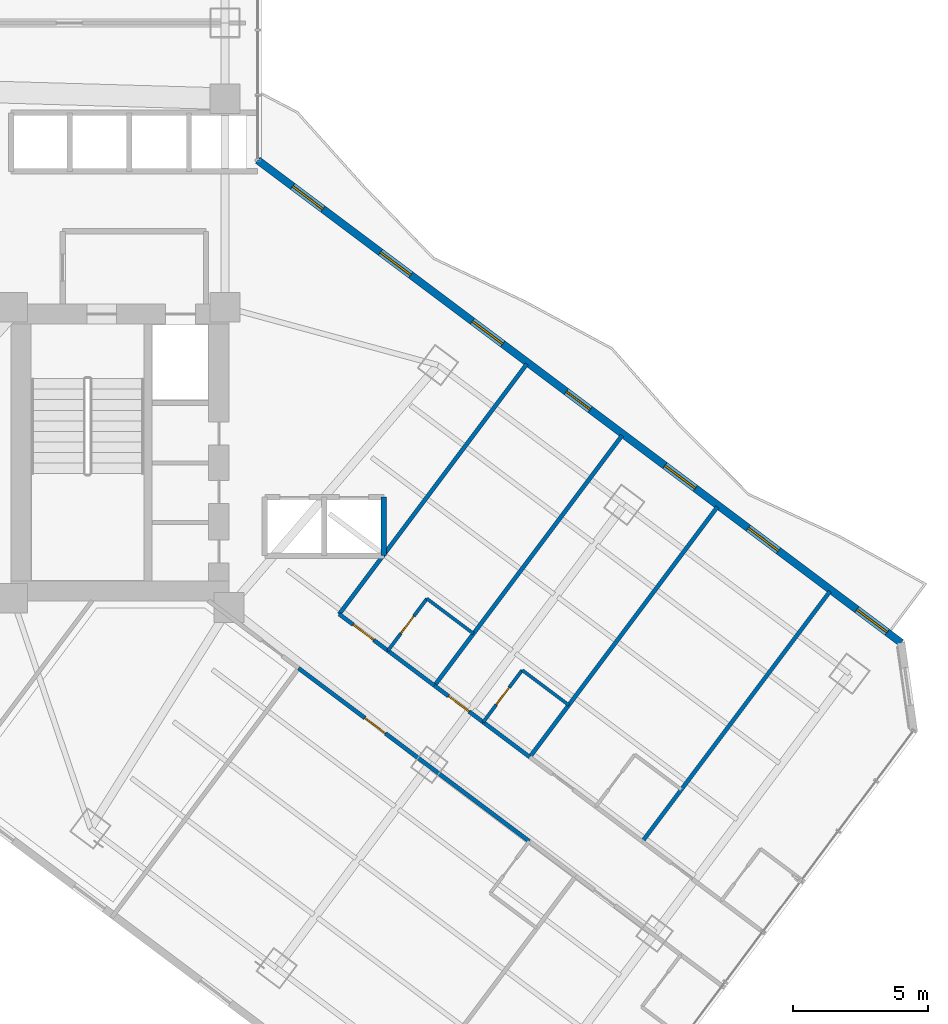
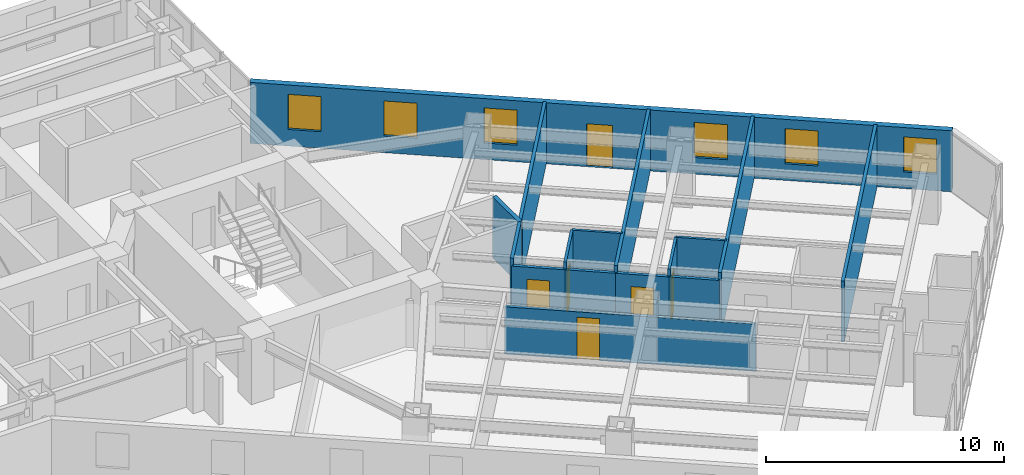
# One storey, part 25 of 38: 15 walls, 6 doors, 6 windows, 12 openings.
"""IFC4 building model written with IfcOpenShell, lengths in metres."""

from ifc_helpers import new_model, si_unit, direction, frame, frame_2d, origin, place, context, subcontext, project, spatial, rectangle, extrude, material, layer, layer_set, type_object, element, fill, save


model = new_model("IFC4")

# Units and contexts
model_context = context("Model", 3, precision=1e-05, world=origin(), true_north=direction((0.0, 1.0)))
body_context = subcontext(model_context, "Body", "Model", "MODEL_VIEW")
ifc_project = project(units=[si_unit("LENGTHUNIT", "METRE"), si_unit("AREAUNIT", "SQUARE_METRE"), si_unit("VOLUMEUNIT", "CUBIC_METRE"), si_unit("PLANEANGLEUNIT", "RADIAN"), si_unit("MASSUNIT", "GRAM", prefix="KILO")], contexts=[model_context])

# Site, building, storey
site_placement = place(None, origin())
site = spatial("IfcSite", under=ifc_project, at=site_placement, CompositionType="ELEMENT")
building_placement = place(site_placement, origin())
building = spatial("IfcBuilding", under=site, at=building_placement, Name="Hatsunagi Terrace Concourse", CompositionType="ELEMENT")
storey_placement = place(building_placement, frame((0.0, 0.0, 60.050048828125)))
storey = spatial("IfcBuildingStorey", under=building, at=storey_placement, Name="L15", CompositionType="ELEMENT", Elevation=60.050048828125)

# Wall, opening, door
ifc_material_1 = material(Name="Acoustic mineral board", Category="gypsum")
ifc_layer_1 = layer(ifc_material_1, 0.1201171875)
ifc_layer_set_1 = layer_set([ifc_layer_1], Name="PartitionWall_EI30_120")
wall_type_1 = type_object("IfcWallType", Name="PartitionWall_EI30_120", PredefinedType="PARTITIONING", material=ifc_layer_set_1)
wall_1_placement = place(storey_placement, frame((49.669921875, 22.610107421875, 0.0), z_axis=(0.0, 0.0, 1.0), x_axis=(0.600065100855, 0.79995117022, 0.0)))
wall_1 = element("IfcWall", 1, at=wall_1_placement, inside=storey, type_object=wall_type_1, Name="Interior Partition IW-L15-085", PredefinedType="PARTITIONING", context=body_context, shape_type="SweptSolid", body=[
    extrude(rectangle(XDim=2.400146484375, YDim=0.1201171875, at=frame_2d((1.2001953125, 0.0))), origin(), (0.0, 0.0, 1.0), 3.1298828125),
])
opening_1_placement = place(wall_1_placement, frame((0.800048828125, 0.0, 0.0)))
opening_1 = element("IfcOpeningElement", 2, at=opening_1_placement, cuts=wall_1, Name="Opening DR-080", PredefinedType="OPENING", context=body_context, shape_type="SweptSolid", body=[
    extrude(rectangle(XDim=0.800048828125, YDim=2.06005859375, at=frame_2d((0.39990234375, 1.030029296875))), frame((0.0, 0.070068359375, 0.0), z_axis=(0.0, -1.0, 0.0), x_axis=(1.0, 0.0, 0.0)), (0.0, 0.0, 1.0), 0.14013671875),
])
ifc_material_2 = material(Name="Hardwood timber", Category="wood")
door_type_1 = type_object("IfcDoorType", Name="BathroomDoor_800", OperationType="NOTDEFINED", PredefinedType="DOOR", material=ifc_material_2)
door_1_placement = place(opening_1_placement, origin())
door_1 = element("IfcDoor", 3, at=door_1_placement, inside=storey, type_object=door_type_1, Name="En-Suite Bathroom L15-SENE1 Door", OperationType="SINGLE_SWING_LEFT", OverallHeight=2.06005859375, OverallWidth=0.800048828125, PredefinedType="DOOR", context=body_context, shape_type="SweptSolid", body=[
    extrude(rectangle(XDim=0.800048828125, YDim=2.06005859375, at=frame_2d((0.39990234375, 1.030029296875))), frame((0.0, 0.02490234375, 0.0), z_axis=(0.0, -1.0, 0.0), x_axis=(1.0, 0.0, 0.0)), (0.0, 0.0, 1.0), 0.050048828125),
])
fill(opening_1, door_1)

# Wall
wall_2_placement = place(storey_placement, frame((51.110107421875, 24.530029296875, 0.0), z_axis=(0.0, 0.0, 1.0), x_axis=(0.79998637334, -0.60001816845, 0.0)))
element("IfcWall", 4, at=wall_2_placement, inside=storey, type_object=wall_type_1, Name="Interior Partition IW-L15-086", PredefinedType="PARTITIONING", context=body_context, shape_type="SweptSolid", body=[
    extrude(rectangle(XDim=2.14990234375, YDim=0.1201171875, at=frame_2d((1.074951171875, 0.0))), origin(), (0.0, 0.0, 1.0), 3.1298828125),
])

# Wall, opening, door
wall_3_placement = place(storey_placement, frame((53.18994140625, 19.969970703125, 0.0), z_axis=(0.0, 0.0, 1.0), x_axis=(0.6, 0.8, 0.0)))
wall_3 = element("IfcWall", 5, at=wall_3_placement, inside=storey, type_object=wall_type_1, Name="Interior Partition IW-L15-091", PredefinedType="PARTITIONING", context=body_context, shape_type="SweptSolid", body=[
    extrude(rectangle(XDim=2.39990234375, YDim=0.1201171875, at=frame_2d((1.199951171875, 0.0))), origin(), (0.0, 0.0, 1.0), 3.1298828125),
])
opening_2_placement = place(wall_3_placement, frame((0.800048828125, 0.0, 0.0)))
opening_2 = element("IfcOpeningElement", 6, at=opening_2_placement, cuts=wall_3, Name="Opening DR-080", PredefinedType="OPENING", context=body_context, shape_type="SweptSolid", body=[
    extrude(rectangle(XDim=0.800048828125, YDim=2.06005859375, at=frame_2d((0.39990234375, 1.030029296875))), frame((0.0, 0.070068359375, 0.0), z_axis=(0.0, -1.0, 0.0), x_axis=(1.0, 0.0, 0.0)), (0.0, 0.0, 1.0), 0.14013671875),
])
door_2_placement = place(opening_2_placement, origin())
door_2 = element("IfcDoor", 7, at=door_2_placement, inside=storey, type_object=door_type_1, Name="En-Suite Bathroom L15-SENE2 Door", OperationType="SINGLE_SWING_RIGHT", OverallHeight=2.06005859375, OverallWidth=0.800048828125, PredefinedType="DOOR", context=body_context, shape_type="SweptSolid", body=[
    extrude(rectangle(XDim=0.800048828125, YDim=2.06005859375, at=frame_2d((0.39990234375, 1.030029296875))), frame((0.0, 0.02490234375, 0.0), z_axis=(0.0, -1.0, 0.0), x_axis=(1.0, 0.0, 0.0)), (0.0, 0.0, 1.0), 0.050048828125),
])
fill(opening_2, door_2)

# Wall
wall_4_placement = place(storey_placement, frame((54.6298828125, 21.889892578125, 0.0), z_axis=(0.0, 0.0, 1.0), x_axis=(0.800081749437, -0.599890985279, 0.0)))
element("IfcWall", 8, at=wall_4_placement, inside=storey, type_object=wall_type_1, Name="Interior Partition IW-L15-092", PredefinedType="PARTITIONING", context=body_context, shape_type="SweptSolid", body=[
    extrude(rectangle(XDim=2.150146484375, YDim=0.1201171875, at=frame_2d((1.0751953125, 0.0))), origin(), (0.0, 0.0, 1.0), 3.1298828125),
])

# Wall, opening, door
ifc_material_3 = material(Name="Acoustic mineral board", Category="gypsum")
ifc_layer_2 = layer(ifc_material_3, 0.14990234375)
ifc_layer_set_2 = layer_set([ifc_layer_2], Name="PartitionWall_EI60_150")
wall_type_2 = type_object("IfcWallType", Name="PartitionWall_EI60_150", PredefinedType="PARTITIONING", material=ifc_layer_set_2)
wall_5_placement = place(storey_placement, frame((47.8701171875, 23.9599609375, 0.0), z_axis=(0.0, 0.0, 1.0), x_axis=(0.8, -0.6, 0.0)))
wall_5 = element("IfcWall", 9, at=wall_5_placement, inside=storey, type_object=wall_type_2, Name="Interior Partition IW-L15-083", PredefinedType="PARTITIONING", context=body_context, shape_type="SweptSolid", body=[
    extrude(rectangle(XDim=2.249755859375, YDim=0.14990234375, at=frame_2d((1.125, 0.0))), origin(), (0.0, 0.0, 1.0), 2.77490234375),
])
opening_3_placement = place(wall_5_placement, frame((0.64990234375, 0.0, 0.0)))
opening_3 = element("IfcOpeningElement", 10, at=opening_3_placement, cuts=wall_5, Name="Opening DR-095", PredefinedType="OPENING", context=body_context, shape_type="SweptSolid", body=[
    extrude(rectangle(XDim=0.949951171875, YDim=2.14990234375, at=frame_2d((0.47509765625, 1.074951171875))), frame((0.0, 0.0849609375, 0.0), z_axis=(0.0, -1.0, 0.0), x_axis=(1.0, 0.0, 0.0)), (0.0, 0.0, 1.0), 0.169921875),
])
ifc_material_4 = material(Name="Hardwood timber", Category="wood")
door_type_2 = type_object("IfcDoorType", Name="InteriorSuiteDoor_EI30_950", OperationType="NOTDEFINED", PredefinedType="DOOR", material=ifc_material_4)
door_3_placement = place(opening_3_placement, origin())
door_3 = element("IfcDoor", 11, at=door_3_placement, inside=storey, type_object=door_type_2, Name="Hotel Guest Room L15-SENE1 Door", OperationType="SINGLE_SWING_LEFT", OverallHeight=2.14990234375, OverallWidth=0.949951171875, PredefinedType="DOOR", context=body_context, shape_type="SweptSolid", body=[
    extrude(rectangle(XDim=0.949951171875, YDim=2.14990234375, at=frame_2d((0.47509765625, 1.074951171875))), frame((0.0, 0.02490234375, 0.0), z_axis=(0.0, -1.0, 0.0), x_axis=(1.0, 0.0, 0.0)), (0.0, 0.0, 1.0), 0.050048828125),
])
fill(opening_3, door_3)

# Walls
wall_6_placement = place(storey_placement, frame((49.669921875, 22.610107421875, 0.0), z_axis=(0.0, 0.0, 1.0), x_axis=(0.79998637334, -0.60001816845, 0.0)))
element("IfcWall", 12, at=wall_6_placement, inside=storey, type_object=wall_type_2, Name="Interior Partition IW-L15-084", PredefinedType="PARTITIONING", context=body_context, shape_type="SweptSolid", body=[
    extrude(rectangle(XDim=2.14990234375, YDim=0.14990234375, at=frame_2d((1.074951171875, 0.0))), origin(), (0.0, 0.0, 1.0), 2.77490234375),
])
for number, where, z_axis, x_axis, name in (
    (13, (47.8701171875, 23.9599609375, 0.0), (0.0, 0.0, 1.0), (0.599996617946, 0.80000253653, 0.0), "Interior Partition IW-L15-087"),
    (14, (51.389892578125, 21.320068359375, 0.0), (0.0, 0.0, 1.0), (0.60001014597, 0.799992390422, 0.0), "Interior Partition IW-L15-088"),
):
    element("IfcWall", number, at=place(storey_placement, frame(where, z_axis=z_axis, x_axis=x_axis)), inside=storey, type_object=wall_type_2, Name=name, PredefinedType="PARTITIONING", context=body_context, shape_type="SweptSolid", body=[
        extrude(rectangle(XDim=11.550048828125, YDim=0.14990234375, at=frame_2d((5.77490234375, 0.0))), origin(), (0.0, 0.0, 1.0), 3.1298828125),
    ])

# Wall, opening, door
wall_7_placement = place(storey_placement, frame((51.389892578125, 21.320068359375, 0.0), z_axis=(0.0, 0.0, 1.0), x_axis=(0.799986979543, -0.600017360216, 0.0)))
wall_7 = element("IfcWall", 15, at=wall_7_placement, inside=storey, type_object=wall_type_2, Name="Interior Partition IW-L15-089", PredefinedType="PARTITIONING", context=body_context, shape_type="SweptSolid", body=[
    extrude(rectangle(XDim=2.25, YDim=0.14990234375, at=frame_2d((1.125, 0.0))), origin(), (0.0, 0.0, 1.0), 2.77490234375),
])
opening_4_placement = place(wall_7_placement, frame((0.64990234375, 0.0, 0.0)))
opening_4 = element("IfcOpeningElement", 16, at=opening_4_placement, cuts=wall_7, Name="Opening DR-095", PredefinedType="OPENING", context=body_context, shape_type="SweptSolid", body=[
    extrude(rectangle(XDim=0.949951171875, YDim=2.14990234375, at=frame_2d((0.47509765625, 1.074951171875))), frame((0.0, 0.0849609375, 0.0), z_axis=(0.0, -1.0, 0.0), x_axis=(1.0, 0.0, 0.0)), (0.0, 0.0, 1.0), 0.169921875),
])
door_4_placement = place(opening_4_placement, origin())
door_4 = element("IfcDoor", 17, at=door_4_placement, inside=storey, type_object=door_type_2, Name="Hotel Guest Room L15-SENE2 Door", OperationType="SINGLE_SWING_LEFT", OverallHeight=2.14990234375, OverallWidth=0.949951171875, PredefinedType="DOOR", context=body_context, shape_type="SweptSolid", body=[
    extrude(rectangle(XDim=0.949951171875, YDim=2.14990234375, at=frame_2d((0.47509765625, 1.074951171875))), frame((0.0, 0.02490234375, 0.0), z_axis=(0.0, -1.0, 0.0), x_axis=(1.0, 0.0, 0.0)), (0.0, 0.0, 1.0), 0.050048828125),
])
fill(opening_4, door_4)

# Walls
wall_8_placement = place(storey_placement, frame((53.18994140625, 19.969970703125, 0.0), z_axis=(0.0, 0.0, 1.0), x_axis=(0.79998637334, -0.60001816845, 0.0)))
element("IfcWall", 18, at=wall_8_placement, inside=storey, type_object=wall_type_2, Name="Interior Partition IW-L15-090", PredefinedType="PARTITIONING", context=body_context, shape_type="SweptSolid", body=[
    extrude(rectangle(XDim=2.14990234375, YDim=0.14990234375, at=frame_2d((1.074951171875, 0.0))), origin(), (0.0, 0.0, 1.0), 2.77490234375),
])
for number, where, z_axis, x_axis, name in (
    (19, (54.909912109375, 18.679931640625, 0.0), (0.0, 0.0, 1.0), (0.60001014597, 0.799992390422, 0.0), "Interior Partition IW-L15-093"),
    (20, (59.070068359375, 15.56005859375, 0.0), (0.0, 0.0, 1.0), (0.599996617946, 0.80000253653, 0.0), "Interior Partition IW-L15-098"),
):
    element("IfcWall", number, at=place(storey_placement, frame(where, z_axis=z_axis, x_axis=x_axis)), inside=storey, type_object=wall_type_2, Name=name, PredefinedType="PARTITIONING", context=body_context, shape_type="SweptSolid", body=[
        extrude(rectangle(XDim=11.550048828125, YDim=0.14990234375, at=frame_2d((5.77490234375, 0.0))), origin(), (0.0, 0.0, 1.0), 3.1298828125),
    ])

# Wall, opening, door
wall_9_placement = place(storey_placement, frame((46.3701171875, 21.9599609375, 0.0), z_axis=(0.0, 0.0, 1.0), x_axis=(0.799997249048, -0.600003667918, 0.0)))
wall_9 = element("IfcWall", 21, at=wall_9_placement, inside=storey, type_object=wall_type_2, Name="Interior Partition IW-L15-103", PredefinedType="PARTITIONING", context=body_context, shape_type="SweptSolid", body=[
    extrude(rectangle(XDim=10.649658203125, YDim=0.14990234375, at=frame_2d((5.32470703125, 0.0))), origin(), (0.0, 0.0, 1.0), 2.425048828125),
])
opening_5_placement = place(wall_9_placement, frame((3.06201171875, 0.0, 0.0)))
opening_5 = element("IfcOpeningElement", 22, at=opening_5_placement, cuts=wall_9, Name="Opening DR-095", PredefinedType="OPENING", context=body_context, shape_type="SweptSolid", body=[
    extrude(rectangle(XDim=0.949951171875, YDim=2.14990234375, at=frame_2d((0.47509765625, 1.074951171875))), frame((0.0, 0.0849609375, 0.0), z_axis=(0.0, -1.0, 0.0), x_axis=(1.0, 0.0, 0.0)), (0.0, 0.0, 1.0), 0.169921875),
])
door_5_placement = place(opening_5_placement, origin())
door_5 = element("IfcDoor", 23, at=door_5_placement, inside=storey, type_object=door_type_2, Name="Corner Hotel Suite L15-SESW1 Door", OperationType="SINGLE_SWING_RIGHT", OverallHeight=2.14990234375, OverallWidth=0.949951171875, PredefinedType="DOOR", context=body_context, shape_type="SweptSolid", body=[
    extrude(rectangle(XDim=0.949951171875, YDim=2.14990234375, at=frame_2d((0.47509765625, 1.074951171875))), frame((0.0, 0.02490234375, 0.0), z_axis=(0.0, -1.0, 0.0), x_axis=(1.0, 0.0, 0.0)), (0.0, 0.0, 1.0), 0.050048828125),
])
fill(opening_5, door_5)

# Wall
ifc_material_5 = material(Name="Acoustic mineral board", Category="gypsum")
ifc_layer_3 = layer(ifc_material_5, 0.199951171875)
ifc_layer_set_3 = layer_set([ifc_layer_3], Name="ShaftWall_EI120_200")
wall_type_3 = type_object("IfcWallType", Name="ShaftWall_EI120_200", PredefinedType="STANDARD", material=ifc_layer_set_3)
wall_10_placement = place(storey_placement, frame((49.52001953125, 26.1201171875, 0.0), z_axis=(0.0, 0.0, 1.0), x_axis=(0.0, 1.0, 0.0)))
element("IfcWall", 24, at=wall_10_placement, inside=storey, type_object=wall_type_3, Name="Interior Partition IW-L15-028", PredefinedType="STANDARD", context=body_context, shape_type="SweptSolid", body=[
    extrude(rectangle(XDim=2.159912109375, YDim=0.199951171875, at=frame_2d((1.080078125, 0.0))), origin(), (0.0, 0.0, 1.0), 3.1298828125),
])

# Wall, openings, door, windows
ifc_material_6 = material(Name="Autoclaved Lightweight Concrete and Terracotta Cladding", Category="masonry")
ifc_layer_4 = layer(ifc_material_6, 0.280029296875)
ifc_layer_set_4 = layer_set([ifc_layer_4], Name="TerracottaSpandrelWall_280")
wall_type_4 = type_object("IfcWallType", Name="TerracottaSpandrelWall_280", PredefinedType="STANDARD", material=ifc_layer_set_4)
wall_11_placement = place(storey_placement, frame((44.860107421875, 40.72998046875, 0.0), z_axis=(0.0, 0.0, 1.0), x_axis=(0.800006902154, -0.599990797017, 0.0)))
wall_11 = element("IfcWall", 25, at=wall_11_placement, inside=storey, type_object=wall_type_4, Name="Exterior Spandrel Wall EW-L15-01", PredefinedType="STANDARD", context=body_context, shape_type="SweptSolid", body=[
    extrude(rectangle(XDim=29.7119140625, YDim=0.280029296875, at=frame_2d((14.85595703125, 0.0))), origin(), (0.0, 0.0, 1.0), 3.1298828125),
])
opening_6_placement = place(wall_11_placement, frame((14.2490234375, 0.0, 0.0)))
opening_6 = element("IfcOpeningElement", 26, at=opening_6_placement, cuts=wall_11, Name="Opening BD-01", PredefinedType="OPENING", context=body_context, shape_type="SweptSolid", body=[
    extrude(rectangle(XDim=1.10009765625, YDim=2.199951171875, at=frame_2d((0.550048828125, 1.10009765625))), frame((0.0, 0.14990234375, 0.0), z_axis=(0.0, -1.0, 0.0), x_axis=(1.0, 0.0, 0.0)), (0.0, 0.0, 1.0), 0.300048828125),
])
opening_7_placement = place(wall_11_placement, frame((1.612060546875, 0.0, 0.85009765625)))
opening_7 = element("IfcOpeningElement", 27, at=opening_7_placement, cuts=wall_11, Name="Opening WIN-02", PredefinedType="OPENING", context=body_context, shape_type="SweptSolid", body=[
    extrude(rectangle(XDim=1.39990234375, YDim=1.800048828125, at=frame_2d((0.699951171875, 0.89990234375))), frame((0.0, 0.14990234375, 0.0), z_axis=(0.0, -1.0, 0.0), x_axis=(1.0, 0.0, 0.0)), (0.0, 0.0, 1.0), 0.300048828125),
])
opening_8_placement = place(wall_11_placement, frame((5.6669921875, 0.0, 0.85009765625)))
opening_8 = element("IfcOpeningElement", 28, at=opening_8_placement, cuts=wall_11, Name="Opening WIN-02", PredefinedType="OPENING", context=body_context, shape_type="SweptSolid", body=[
    extrude(rectangle(XDim=1.39990234375, YDim=1.800048828125, at=frame_2d((0.699951171875, 0.89990234375))), frame((0.0, 0.14990234375, 0.0), z_axis=(0.0, -1.0, 0.0), x_axis=(1.0, 0.0, 0.0)), (0.0, 0.0, 1.0), 0.300048828125),
])
opening_9_placement = place(wall_11_placement, frame((9.912109375, 0.0, 0.85009765625)))
opening_9 = element("IfcOpeningElement", 29, at=opening_9_placement, cuts=wall_11, Name="Opening WIN-02", PredefinedType="OPENING", context=body_context, shape_type="SweptSolid", body=[
    extrude(rectangle(XDim=1.39990234375, YDim=1.800048828125, at=frame_2d((0.699951171875, 0.89990234375))), frame((0.0, 0.14990234375, 0.0), z_axis=(0.0, -1.0, 0.0), x_axis=(1.0, 0.0, 0.0)), (0.0, 0.0, 1.0), 0.300048828125),
])
opening_10_placement = place(wall_11_placement, frame((18.802978515625, 0.0, 0.85009765625)))
opening_10 = element("IfcOpeningElement", 30, at=opening_10_placement, cuts=wall_11, Name="Opening WIN-02", PredefinedType="OPENING", context=body_context, shape_type="SweptSolid", body=[
    extrude(rectangle(XDim=1.39990234375, YDim=1.800048828125, at=frame_2d((0.699951171875, 0.89990234375))), frame((0.0, 0.14990234375, 0.0), z_axis=(0.0, -1.0, 0.0), x_axis=(1.0, 0.0, 0.0)), (0.0, 0.0, 1.0), 0.300048828125),
])
opening_11_placement = place(wall_11_placement, frame((22.64501953125, 0.0, 0.85009765625)))
opening_11 = element("IfcOpeningElement", 31, at=opening_11_placement, cuts=wall_11, Name="Opening WIN-02", PredefinedType="OPENING", context=body_context, shape_type="SweptSolid", body=[
    extrude(rectangle(XDim=1.39990234375, YDim=1.800048828125, at=frame_2d((0.699951171875, 0.89990234375))), frame((0.0, 0.14990234375, 0.0), z_axis=(0.0, -1.0, 0.0), x_axis=(1.0, 0.0, 0.0)), (0.0, 0.0, 1.0), 0.300048828125),
])
opening_12_placement = place(wall_11_placement, frame((27.66796875, 0.0, 0.85009765625)))
opening_12 = element("IfcOpeningElement", 32, at=opening_12_placement, cuts=wall_11, Name="Opening WIN-02", PredefinedType="OPENING", context=body_context, shape_type="SweptSolid", body=[
    extrude(rectangle(XDim=1.39990234375, YDim=1.800048828125, at=frame_2d((0.699951171875, 0.89990234375))), frame((0.0, 0.14990234375, 0.0), z_axis=(0.0, -1.0, 0.0), x_axis=(1.0, 0.0, 0.0)), (0.0, 0.0, 1.0), 0.300048828125),
])
ifc_material_7 = material(Name="Galvanised Steel and Laminated Safety Glass", Category="steel")
door_type_3 = type_object("IfcDoorType", Name="BalconyTerraceAccessDoor_1100x2200", OperationType="SINGLE_SWING_LEFT", PredefinedType="DOOR", material=ifc_material_7)
door_6_placement = place(opening_6_placement, origin())
door_6 = element("IfcDoor", 33, at=door_6_placement, inside=storey, type_object=door_type_3, Name="Engawa Balcony Door L15-BSE", OperationType="SINGLE_SWING_LEFT", OverallHeight=2.199951171875, OverallWidth=1.10009765625, PredefinedType="DOOR", context=body_context, shape_type="SweptSolid", body=[
    extrude(rectangle(XDim=1.10009765625, YDim=2.199951171875, at=frame_2d((0.550048828125, 1.10009765625))), frame((0.0, 0.02490234375, 0.0), z_axis=(0.0, -1.0, 0.0), x_axis=(1.0, 0.0, 0.0)), (0.0, 0.0, 1.0), 0.050048828125),
])
fill(opening_6, door_6)
ifc_material_8 = material(Name="Thermally Broken Aluminium and Low-E Triple Glazing", Category="aluminium")
window_type = type_object("IfcWindowType", Name="HotelOperableVentWindow_1400x1800", PartitioningType="DOUBLE_PANEL_VERTICAL", PredefinedType="WINDOW", material=ifc_material_8)
window_1_placement = place(opening_7_placement, origin())
window_1 = element("IfcWindow", 34, at=window_1_placement, inside=storey, type_object=window_type, Name="Balcony Daylighting Window L15-01-1", OverallHeight=1.800048828125, OverallWidth=1.39990234375, PartitioningType="SINGLE_PANEL", PredefinedType="WINDOW", context=body_context, shape_type="SweptSolid", body=[
    extrude(rectangle(XDim=1.39990234375, YDim=1.800048828125, at=frame_2d((0.699951171875, 0.89990234375))), frame((0.0, 0.030029296875, 0.0), z_axis=(0.0, -1.0, 0.0), x_axis=(1.0, 0.0, 0.0)), (0.0, 0.0, 1.0), 0.06005859375),
])
fill(opening_7, window_1)
window_2_placement = place(opening_8_placement, origin())
window_2 = element("IfcWindow", 35, at=window_2_placement, inside=storey, type_object=window_type, Name="Balcony Daylighting Window L15-01-2", OverallHeight=1.800048828125, OverallWidth=1.39990234375, PartitioningType="SINGLE_PANEL", PredefinedType="WINDOW", context=body_context, shape_type="SweptSolid", body=[
    extrude(rectangle(XDim=1.39990234375, YDim=1.800048828125, at=frame_2d((0.699951171875, 0.89990234375))), frame((0.0, 0.030029296875, 0.0), z_axis=(0.0, -1.0, 0.0), x_axis=(1.0, 0.0, 0.0)), (0.0, 0.0, 1.0), 0.06005859375),
])
fill(opening_8, window_2)
window_3_placement = place(opening_9_placement, origin())
window_3 = element("IfcWindow", 36, at=window_3_placement, inside=storey, type_object=window_type, Name="Balcony Daylighting Window L15-01-3", OverallHeight=1.800048828125, OverallWidth=1.39990234375, PartitioningType="SINGLE_PANEL", PredefinedType="WINDOW", context=body_context, shape_type="SweptSolid", body=[
    extrude(rectangle(XDim=1.39990234375, YDim=1.800048828125, at=frame_2d((0.699951171875, 0.89990234375))), frame((0.0, 0.030029296875, 0.0), z_axis=(0.0, -1.0, 0.0), x_axis=(1.0, 0.0, 0.0)), (0.0, 0.0, 1.0), 0.06005859375),
])
fill(opening_9, window_3)
window_4_placement = place(opening_10_placement, origin())
window_4 = element("IfcWindow", 37, at=window_4_placement, inside=storey, type_object=window_type, Name="Balcony Daylighting Window L15-01-5", OverallHeight=1.800048828125, OverallWidth=1.39990234375, PartitioningType="SINGLE_PANEL", PredefinedType="WINDOW", context=body_context, shape_type="SweptSolid", body=[
    extrude(rectangle(XDim=1.39990234375, YDim=1.800048828125, at=frame_2d((0.699951171875, 0.89990234375))), frame((0.0, 0.030029296875, 0.0), z_axis=(0.0, -1.0, 0.0), x_axis=(1.0, 0.0, 0.0)), (0.0, 0.0, 1.0), 0.06005859375),
])
fill(opening_10, window_4)
window_5_placement = place(opening_11_placement, origin())
window_5 = element("IfcWindow", 38, at=window_5_placement, inside=storey, type_object=window_type, Name="Balcony Daylighting Window L15-01-6", OverallHeight=1.800048828125, OverallWidth=1.39990234375, PartitioningType="SINGLE_PANEL", PredefinedType="WINDOW", context=body_context, shape_type="SweptSolid", body=[
    extrude(rectangle(XDim=1.39990234375, YDim=1.800048828125, at=frame_2d((0.699951171875, 0.89990234375))), frame((0.0, 0.030029296875, 0.0), z_axis=(0.0, -1.0, 0.0), x_axis=(1.0, 0.0, 0.0)), (0.0, 0.0, 1.0), 0.06005859375),
])
fill(opening_11, window_5)
window_6_placement = place(opening_12_placement, origin())
window_6 = element("IfcWindow", 39, at=window_6_placement, inside=storey, type_object=window_type, Name="Balcony Daylighting Window L15-01-7", OverallHeight=1.800048828125, OverallWidth=1.39990234375, PartitioningType="SINGLE_PANEL", PredefinedType="WINDOW", context=body_context, shape_type="SweptSolid", body=[
    extrude(rectangle(XDim=1.39990234375, YDim=1.800048828125, at=frame_2d((0.699951171875, 0.89990234375))), frame((0.0, 0.030029296875, 0.0), z_axis=(0.0, -1.0, 0.0), x_axis=(1.0, 0.0, 0.0)), (0.0, 0.0, 1.0), 0.06005859375),
])
fill(opening_12, window_6)

save(model, "model.ifc")
